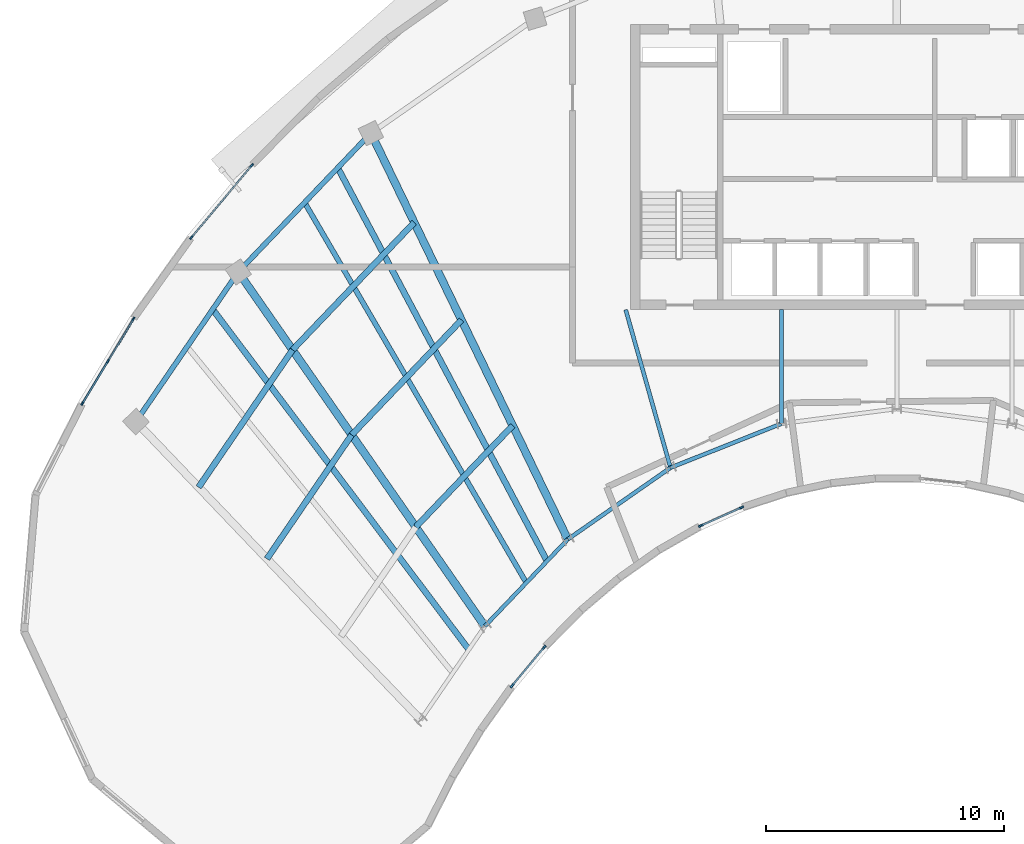
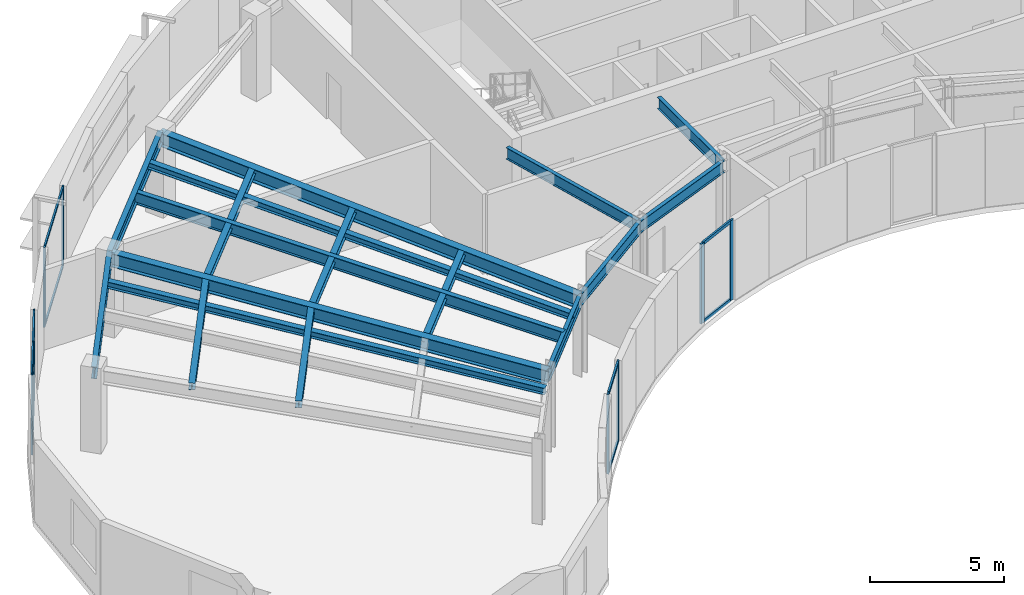
# One storey, part 2 of 12: 21 members, 17 beams, 4 elements without a shape of their own.
"""IFC4 building model written with IfcOpenShell, lengths in metres."""

from ifc_helpers import new_model, si_unit, direction, frame, origin, origin_2d, place, context, subcontext, project, spatial, rectangle, i_section, extrude, source, transform, mapped, material, layer, layer_set, material_profile, profile_set, type_object, type_shapes, element, aggregate, save


model = new_model("IFC4")

# Units and contexts
model_context = context("Model", 3, precision=1e-05, world=origin(), true_north=direction((0.0, 1.0)))
body_context = subcontext(model_context, "Body", "Model", "MODEL_VIEW")
ifc_project = project(units=[si_unit("LENGTHUNIT", "METRE"), si_unit("AREAUNIT", "SQUARE_METRE"), si_unit("VOLUMEUNIT", "CUBIC_METRE"), si_unit("PLANEANGLEUNIT", "RADIAN"), si_unit("MASSUNIT", "GRAM", prefix="KILO")], contexts=[model_context])

# Site, building, storey
site_placement = place(None, origin())
site = spatial("IfcSite", under=ifc_project, at=site_placement, CompositionType="ELEMENT")
building_placement = place(site_placement, origin())
building = spatial("IfcBuilding", under=site, at=building_placement, Name="Breltana Convention Tower", CompositionType="ELEMENT")
storey_placement = place(building_placement, frame((0.0, 0.0, 260.10009765625)))
storey = spatial("IfcBuildingStorey", under=building, at=storey_placement, Name="L63", CompositionType="ELEMENT", Elevation=260.10009765625)

# Beams
ifc_material_1 = material(Name="Steel ASTM A992 Grade 50", Category="steel")
ifc_material_profile_1 = material_profile(ifc_material_1, i_section(OverallWidth=0.166015625, OverallDepth=0.534912109375, WebThickness=0.01025390625, FlangeThickness=0.0166015625, at=origin_2d()), Name="W21X57")
ifc_profile_set_1 = profile_set([ifc_material_profile_1], Name="Steel ASTM A992 Grade 50")
beam_type_1 = type_object("IfcBeamType", Name="BM-BM-W21X57", PredefinedType="BEAM", material=ifc_profile_set_1)
shared_shape_1 = source(origin(), body_context, "Body", "SweptSolid", [
    extrude(i_section(OverallWidth=0.166015625, OverallDepth=0.534912109375, WebThickness=0.01025390625, FlangeThickness=0.0166015625, at=origin_2d()), origin(), (0.0, 0.0, 1.0), 6.904541015625),
])
type_shapes(beam_type_1, [shared_shape_1])
beam_1_placement = place(storey_placement, frame((36.60009765625, 60.199951171875, 3.38232421875), z_axis=(0.273006781054, -0.962012108811, 0.0), x_axis=(0.962012108811, 0.273006781054, 0.0)))
element("IfcBeam", 1, at=beam_1_placement, inside=storey, type_object=beam_type_1, Name="L63 South Core Tie Girder R04", PredefinedType="BEAM", context=body_context, shape_type="MappedRepresentation", body=[
    mapped(shared_shape_1, transform((0.0, 0.0, 0.0), scale=1.0)),
])
shared_shape_2 = source(origin(), body_context, "Body", "SweptSolid", [
    extrude(i_section(OverallWidth=0.166015625, OverallDepth=0.534912109375, WebThickness=0.01025390625, FlangeThickness=0.0166015625, at=origin_2d()), origin(), (0.0, 0.0, 1.0), 4.789306640625),
])
beam_2_placement = place(storey_placement, frame((43.153564453125, 60.199951171875, 3.38232421875), z_axis=(0.0, -1.0, 0.0), x_axis=(1.0, 0.0, 0.0)))
element("IfcBeam", 2, at=beam_2_placement, inside=storey, type_object=beam_type_1, Name="L63 South Core Tie Girder R05", PredefinedType="BEAM", context=body_context, shape_type="MappedRepresentation", body=[
    mapped(shared_shape_2, transform((0.0, 0.0, 0.0), scale=1.0)),
])
shared_shape_3 = source(origin(), body_context, "Body", "SweptSolid", [
    extrude(i_section(OverallWidth=0.166015625, OverallDepth=0.534912109375, WebThickness=0.01025390625, FlangeThickness=0.0166015625, at=origin_2d()), origin(), (0.0, 0.0, 1.0), 5.05126953125),
])
beam_3_placement = place(storey_placement, frame((30.67724609375, 46.892333984375, 3.38232421875), z_axis=(0.690729753845, 0.7231129975, 0.0), x_axis=(-0.7231129975, 0.690729753845, 0.0)))
element("IfcBeam", 3, at=beam_3_placement, inside=storey, type_object=beam_type_1, Name="L63 Inner Ring Beam 02", PredefinedType="BEAM", context=body_context, shape_type="MappedRepresentation", body=[
    mapped(shared_shape_3, transform((0.0, 0.0, 0.0), scale=1.0)),
])
shared_shape_4 = source(origin(), body_context, "Body", "SweptSolid", [
    extrude(i_section(OverallWidth=0.166015625, OverallDepth=0.534912109375, WebThickness=0.01025390625, FlangeThickness=0.0166015625, at=origin_2d()), origin(), (0.0, 0.0, 1.0), 5.265869140625),
])
beam_4_placement = place(storey_placement, frame((34.166259765625, 50.544921875, 3.38232421875), z_axis=(0.820167429517, 0.572123577176, 0.0), x_axis=(-0.572123577176, 0.820167429517, 0.0)))
element("IfcBeam", 4, at=beam_4_placement, inside=storey, type_object=beam_type_1, Name="L63 Inner Ring Beam 03", PredefinedType="BEAM", context=body_context, shape_type="MappedRepresentation", body=[
    mapped(shared_shape_4, transform((0.0, 0.0, 0.0), scale=1.0)),
])
shared_shape_5 = source(origin(), body_context, "Body", "SweptSolid", [
    extrude(i_section(OverallWidth=0.166015625, OverallDepth=0.534912109375, WebThickness=0.01025390625, FlangeThickness=0.0166015625, at=origin_2d()), origin(), (0.0, 0.0, 1.0), 5.022705078125),
])
beam_5_placement = place(storey_placement, frame((38.485107421875, 53.5576171875, 3.38232421875), z_axis=(0.929458966248, 0.368925507469, 0.0), x_axis=(-0.368925507469, 0.929458966248, 0.0)))
element("IfcBeam", 5, at=beam_5_placement, inside=storey, type_object=beam_type_1, Name="L63 Inner Ring Beam 04", PredefinedType="BEAM", context=body_context, shape_type="MappedRepresentation", body=[
    mapped(shared_shape_5, transform((0.0, 0.0, 0.0), scale=1.0)),
])
ifc_material_profile_2 = material_profile(ifc_material_1, i_section(OverallWidth=0.25390625, OverallDepth=0.305908203125, WebThickness=0.0087890625, FlangeThickness=0.0146484375, at=origin_2d()), Name="W12X53")
ifc_profile_set_2 = profile_set([ifc_material_profile_2], Name="Steel ASTM A992 Grade 50")
beam_type_2 = type_object("IfcBeamType", Name="BM-JSG-10", PredefinedType="JOIST", material=ifc_profile_set_2)
shared_shape_6 = source(origin(), body_context, "Body", "SweptSolid", [
    extrude(i_section(OverallWidth=0.25390625, OverallDepth=0.305908203125, WebThickness=0.0087890625, FlangeThickness=0.0146484375, at=origin_2d()), origin(), (0.0, 0.0, 1.0), 6.311767578125),
])
beam_6_placement = place(storey_placement, frame((21.5166015625, 49.72607421875, 3.496826171875), z_axis=(0.564453712577, 0.825464721449, 0.0), x_axis=(-0.825464721449, 0.564453712577, 0.0)))
element("IfcBeam", 6, at=beam_6_placement, inside=storey, type_object=beam_type_2, Name="L63 Composite Floor Joist 01.2", PredefinedType="JOIST", context=body_context, shape_type="MappedRepresentation", body=[
    mapped(shared_shape_6, transform((0.0, 0.0, 0.0), scale=1.0)),
])
shared_shape_7 = source(origin(), body_context, "Body", "SweptSolid", [
    extrude(i_section(OverallWidth=0.25390625, OverallDepth=0.305908203125, WebThickness=0.0087890625, FlangeThickness=0.0146484375, at=origin_2d()), origin(), (0.0, 0.0, 1.0), 6.997314453125),
])
beam_7_placement = place(storey_placement, frame((18.641845703125, 52.735595703125, 3.496826171875), z_axis=(0.564468756361, 0.825454434292, 0.0), x_axis=(-0.825454434292, 0.564468756361, 0.0)))
element("IfcBeam", 7, at=beam_7_placement, inside=storey, type_object=beam_type_2, Name="L63 Composite Floor Joist 01.3", PredefinedType="JOIST", context=body_context, shape_type="MappedRepresentation", body=[
    mapped(shared_shape_7, transform((0.0, 0.0, 0.0), scale=1.0)),
])
shared_shape_8 = source(origin(), body_context, "Body", "SweptSolid", [
    extrude(i_section(OverallWidth=0.25390625, OverallDepth=0.305908203125, WebThickness=0.0087890625, FlangeThickness=0.0146484375, at=origin_2d()), origin(), (0.0, 0.0, 1.0), 17.9072265625),
])
beam_8_placement = place(storey_placement, frame((30.00390625, 45.907958984375, 3.496826171875), z_axis=(-0.601382105028, 0.798961553363, 0.0), x_axis=(-0.798961553363, -0.601382105028, 0.0)))
element("IfcBeam", 8, at=beam_8_placement, inside=storey, type_object=beam_type_2, Name="L63 Quarter-Bay Radial Trimmer 01", PredefinedType="JOIST", context=body_context, shape_type="MappedRepresentation", body=[
    mapped(shared_shape_8, transform((0.0, 0.0, 0.0), scale=1.0)),
])
shared_shape_9 = source(origin(), body_context, "Body", "SweptSolid", [
    extrude(i_section(OverallWidth=0.25390625, OverallDepth=0.305908203125, WebThickness=0.0087890625, FlangeThickness=0.0146484375, at=origin_2d()), origin(), (0.0, 0.0, 1.0), 5.8974609375),
])
beam_9_placement = place(storey_placement, frame((27.774658203125, 51.063232421875, 3.496826171875), z_axis=(0.690713978666, 0.723128065888, 0.0), x_axis=(-0.723128065888, 0.690713978666, 0.0)))
element("IfcBeam", 9, at=beam_9_placement, inside=storey, type_object=beam_type_2, Name="L63 Composite Floor Joist 02.1", PredefinedType="JOIST", context=body_context, shape_type="MappedRepresentation", body=[
    mapped(shared_shape_9, transform((0.0, 0.0, 0.0), scale=1.0)),
])
shared_shape_10 = source(origin(), body_context, "Body", "SweptSolid", [
    extrude(i_section(OverallWidth=0.25390625, OverallDepth=0.305908203125, WebThickness=0.0087890625, FlangeThickness=0.0146484375, at=origin_2d()), origin(), (0.0, 0.0, 1.0), 6.68359375),
])
beam_10_placement = place(storey_placement, frame((25.079345703125, 54.936279296875, 3.496826171875), z_axis=(0.690720705885, 0.723121640156, 0.0), x_axis=(-0.723121640156, 0.690720705885, 0.0)))
element("IfcBeam", 10, at=beam_10_placement, inside=storey, type_object=beam_type_2, Name="L63 Composite Floor Joist 02.2", PredefinedType="JOIST", context=body_context, shape_type="MappedRepresentation", body=[
    mapped(shared_shape_10, transform((0.0, 0.0, 0.0), scale=1.0)),
])
shared_shape_11 = source(origin(), body_context, "Body", "SweptSolid", [
    extrude(i_section(OverallWidth=0.25390625, OverallDepth=0.305908203125, WebThickness=0.0087890625, FlangeThickness=0.0146484375, at=origin_2d()), origin(), (0.0, 0.0, 1.0), 7.40869140625),
])
beam_11_placement = place(storey_placement, frame((22.591552734375, 58.511474609375, 3.496826171875), z_axis=(0.690724936208, 0.723117599358, 0.0), x_axis=(-0.723117599358, 0.690724936208, 0.0)))
element("IfcBeam", 11, at=beam_11_placement, inside=storey, type_object=beam_type_2, Name="L63 Composite Floor Joist 02.3", PredefinedType="JOIST", context=body_context, shape_type="MappedRepresentation", body=[
    mapped(shared_shape_11, transform((0.0, 0.0, 0.0), scale=1.0)),
])
ifc_material_profile_3 = material_profile(ifc_material_1, i_section(OverallWidth=0.214111328125, OverallDepth=0.549072265625, WebThickness=0.0146484375, FlangeThickness=0.023681640625, at=origin_2d()), Name="W21X93")
ifc_profile_set_3 = profile_set([ifc_material_profile_3], Name="Steel ASTM A992 Grade 50")
beam_type_3 = type_object("IfcBeamType", Name="BM-JSG-03", PredefinedType="JOIST", material=ifc_profile_set_3)
shared_shape_12 = source(origin(), body_context, "Body", "SweptSolid", [
    extrude(i_section(OverallWidth=0.214111328125, OverallDepth=0.549072265625, WebThickness=0.0146484375, FlangeThickness=0.023681640625, at=origin_2d()), origin(), (0.0, 0.0, 1.0), 18.50830078125),
])
beam_12_placement = place(storey_placement, frame((32.421630859375, 48.71875, 3.37548828125), z_axis=(-0.50368319637, 0.863888440537, 0.0), x_axis=(-0.863888440537, -0.50368319637, 0.0)))
element("IfcBeam", 12, at=beam_12_placement, inside=storey, type_object=beam_type_3, Name="L63 Mid-Bay Radial Trimmer 02", PredefinedType="JOIST", context=body_context, shape_type="MappedRepresentation", body=[
    mapped(shared_shape_12, transform((0.0, 0.0, 0.0), scale=1.0)),
])
shared_shape_13 = source(origin(), body_context, "Body", "SweptSolid", [
    extrude(i_section(OverallWidth=0.25390625, OverallDepth=0.305908203125, WebThickness=0.0087890625, FlangeThickness=0.0146484375, at=origin_2d()), origin(), (0.0, 0.0, 1.0), 18.731689453125),
])
beam_13_placement = place(storey_placement, frame((33.2939453125, 49.6318359375, 3.496826171875), z_axis=(-0.469820250451, 0.882762104004, 0.0), x_axis=(-0.882762104004, -0.469820250451, 0.0)))
element("IfcBeam", 13, at=beam_13_placement, inside=storey, type_object=beam_type_2, Name="L63 Quarter-Bay Radial Trimmer 02", PredefinedType="JOIST", context=body_context, shape_type="MappedRepresentation", body=[
    mapped(shared_shape_13, transform((0.0, 0.0, 0.0), scale=1.0)),
])
ifc_material_profile_4 = material_profile(ifc_material_1, i_section(OverallWidth=0.326904296875, OverallDepth=0.6220703125, WebThickness=0.015380859375, FlangeThickness=0.0244140625, at=origin_2d()), Name="W24X131")
ifc_profile_set_4 = profile_set([ifc_material_profile_4], Name="Steel ASTM A992 Grade 50")
beam_type_4 = type_object("IfcBeamType", Name="BM-RG-W24X131", PredefinedType="USERDEFINED", material=ifc_profile_set_4)
shared_shape_14 = source(origin(), body_context, "Body", "SweptSolid", [
    extrude(i_section(OverallWidth=0.326904296875, OverallDepth=0.6220703125, WebThickness=0.015380859375, FlangeThickness=0.0244140625, at=origin_2d()), origin(), (0.0, 0.0, 1.0), 18.1484375),
])
beam_14_placement = place(storey_placement, frame((30.67724609375, 46.892333984375, 3.3388671875), z_axis=(-0.571207556098, 0.820805657788, 0.0), x_axis=(-0.820805657788, -0.571207556098, 0.0)))
element("IfcBeam", 14, at=beam_14_placement, inside=storey, type_object=beam_type_4, Name="L63 Radial Floor Girder R02", ObjectType="GIRDER", PredefinedType="USERDEFINED", context=body_context, shape_type="MappedRepresentation", body=[
    mapped(shared_shape_14, transform((0.0, 0.0, 0.0), scale=1.0)),
])
shared_shape_15 = source(origin(), body_context, "Body", "SweptSolid", [
    extrude(i_section(OverallWidth=0.326904296875, OverallDepth=0.6220703125, WebThickness=0.015380859375, FlangeThickness=0.0244140625, at=origin_2d()), origin(), (0.0, 0.0, 1.0), 18.982421875),
])
beam_15_placement = place(storey_placement, frame((34.166259765625, 50.544921875, 3.3388671875), z_axis=(-0.436118560343, 0.89988921614, 0.0), x_axis=(-0.89988921614, -0.436118560343, 0.0)))
element("IfcBeam", 15, at=beam_15_placement, inside=storey, type_object=beam_type_4, Name="L63 Radial Floor Girder R03", ObjectType="GIRDER", PredefinedType="USERDEFINED", context=body_context, shape_type="MappedRepresentation", body=[
    mapped(shared_shape_15, transform((0.0, 0.0, 0.0), scale=1.0)),
])
ifc_material_profile_5 = material_profile(ifc_material_1, i_section(OverallWidth=0.214111328125, OverallDepth=0.549072265625, WebThickness=0.0146484375, FlangeThickness=0.023681640625, at=origin_2d()), Name="W21X93")
ifc_profile_set_5 = profile_set([ifc_material_profile_5], Name="Steel ASTM A992 Grade 50")
beam_type_5 = type_object("IfcBeamType", Name="BM-SP-W21X93", PredefinedType="SPANDREL", material=ifc_profile_set_5)
shared_shape_16 = source(origin(), body_context, "Body", "SweptSolid", [
    extrude(i_section(OverallWidth=0.214111328125, OverallDepth=0.549072265625, WebThickness=0.0146484375, FlangeThickness=0.023681640625, at=origin_2d()), origin(), (0.0, 0.0, 1.0), 7.625),
])
type_shapes(beam_type_5, [shared_shape_16])
beam_16_placement = place(storey_placement, frame((16.0068359375, 55.494384765625, 3.37548828125), z_axis=(0.564452031902, 0.825465870694, 0.0), x_axis=(-0.825465870694, 0.564452031902, 0.0)))
element("IfcBeam", 16, at=beam_16_placement, inside=storey, type_object=beam_type_5, Name="L63 Outer Spandrel Beam 01", PredefinedType="SPANDREL", context=body_context, shape_type="MappedRepresentation", body=[
    mapped(shared_shape_16, transform((0.0, 0.0, 0.0), scale=1.0)),
])
shared_shape_17 = source(origin(), body_context, "Body", "SweptSolid", [
    extrude(i_section(OverallWidth=0.214111328125, OverallDepth=0.549072265625, WebThickness=0.0146484375, FlangeThickness=0.023681640625, at=origin_2d()), origin(), (0.0, 0.0, 1.0), 8.073974609375),
])
beam_17_placement = place(storey_placement, frame((20.310791015625, 61.78857421875, 3.37548828125), z_axis=(0.69072885448, 0.723113856588, 0.0), x_axis=(-0.723113856588, 0.69072885448, 0.0)))
element("IfcBeam", 17, at=beam_17_placement, inside=storey, type_object=beam_type_5, Name="L63 Outer Spandrel Beam 02", PredefinedType="SPANDREL", context=body_context, shape_type="MappedRepresentation", body=[
    mapped(shared_shape_17, transform((0.0, 0.0, 0.0), scale=1.0)),
])

# Curtain wall, members
ifc_material_2 = material(Name="Aluminium Anodised Bronze Frame", Category="aluminium")
ifc_layer_1 = layer(ifc_material_2, 0.18994140625, Name="Aluminium Anodised Bronze Frame")
ifc_layer_set_1 = layer_set([ifc_layer_1], Name="Aluminium Anodised Bronze Frame")
curtain_wall_type_1 = type_object("IfcCurtainWallType", Name="CW-SYS-1", PredefinedType="NOTDEFINED", material=ifc_layer_set_1)
curtain_wall_1_placement = place(storey_placement, origin())
curtain_wall_1 = element("IfcCurtainWall", 18, at=curtain_wall_1_placement, inside=storey, type_object=curtain_wall_type_1, Name="L63 inner south-court glazing 4", PredefinedType="NOTDEFINED")
ifc_material_3 = material(Name="Aluminium Anodised Bronze", Category="aluminium")
ifc_material_profile_6 = material_profile(ifc_material_3, rectangle(XDim=0.080078125, YDim=0.199951171875, at=origin_2d()), Name="CWM-80X200")
ifc_profile_set_6 = profile_set([ifc_material_profile_6], Name="Aluminium Anodised Bronze")
member_type_1 = type_object("IfcMemberType", Name="CWM-200", PredefinedType="MULLION", material=ifc_profile_set_6)
shared_shape_18 = source(origin(), body_context, "Body", "SweptSolid", [
    extrude(rectangle(XDim=0.080078125, YDim=0.199951171875, at=origin_2d()), origin(), (0.0, 0.0, 1.0), 3.64990234375),
])
member_1_placement = place(storey_placement, frame((41.464599609375, 51.88037109375, 0.0), z_axis=(0.0, 0.0, 1.0), x_axis=(0.408628350848, -0.912700866047, 0.0)))
member_1 = element("IfcMember", 19, at=member_1_placement, type_object=member_type_1, Name="CW-01 mullion 1", PredefinedType="MULLION", context=body_context, shape_type="MappedRepresentation", body=[
    mapped(shared_shape_18, transform((0.0, 0.0, 0.0), scale=1.0)),
])
member_2_placement = place(storey_placement, frame((39.760009765625, 51.1171875, 0.0), z_axis=(0.0, 0.0, 1.0), x_axis=(0.408628350848, -0.912700866047, 0.0)))
member_2 = element("IfcMember", 20, at=member_2_placement, type_object=member_type_1, Name="CW-01 mullion 2", PredefinedType="MULLION", context=body_context, shape_type="MappedRepresentation", body=[
    mapped(shared_shape_18, transform((0.0, 0.0, 0.0), scale=1.0)),
])

curtain_wall_2_placement = place(storey_placement, origin())
curtain_wall_2 = element("IfcCurtainWall", 21, at=curtain_wall_2_placement, inside=storey, type_object=curtain_wall_type_1, Name="L63 inner south-court glazing 5", PredefinedType="NOTDEFINED")
member_3_placement = place(storey_placement, frame((33.174072265625, 46.00390625, 0.0), z_axis=(0.0, 0.0, 1.0), x_axis=(0.766892102738, -0.641776053432, 0.0)))
member_3 = element("IfcMember", 22, at=member_3_placement, type_object=member_type_1, Name="CW-01 mullion 1", PredefinedType="MULLION", context=body_context, shape_type="MappedRepresentation", body=[
    mapped(shared_shape_18, transform((0.0, 0.0, 0.0), scale=1.0)),
])
member_4_placement = place(storey_placement, frame((31.82666015625, 44.393798828125, 0.0), z_axis=(0.0, 0.0, 1.0), x_axis=(0.766892102738, -0.641776053432, 0.0)))
member_4 = element("IfcMember", 23, at=member_4_placement, type_object=member_type_1, Name="CW-01 mullion 2", PredefinedType="MULLION", context=body_context, shape_type="MappedRepresentation", body=[
    mapped(shared_shape_18, transform((0.0, 0.0, 0.0), scale=1.0)),
])

ifc_layer_2 = layer(ifc_material_2, 0.22998046875, Name="Aluminium Anodised Bronze Frame")
ifc_layer_set_2 = layer_set([ifc_layer_2], Name="Aluminium Anodised Bronze Frame")
curtain_wall_type_2 = type_object("IfcCurtainWallType", Name="CW-SYS-5", PredefinedType="NOTDEFINED", material=ifc_layer_set_2)
curtain_wall_3_placement = place(storey_placement, origin())
curtain_wall_3 = element("IfcCurtainWall", 24, at=curtain_wall_3_placement, inside=storey, type_object=curtain_wall_type_2, Name="L63 outer double-skin inner glazing 1", PredefinedType="NOTDEFINED")
ifc_material_profile_7 = material_profile(ifc_material_3, rectangle(XDim=0.070068359375, YDim=0.175048828125, at=origin_2d()), Name="CWM-70X175")
ifc_profile_set_7 = profile_set([ifc_material_profile_7], Name="Aluminium Anodised Bronze")
member_type_2 = type_object("IfcMemberType", Name="CWM-175", PredefinedType="MULLION", material=ifc_profile_set_7)
shared_shape_19 = source(origin(), body_context, "Body", "SweptSolid", [
    extrude(rectangle(XDim=0.070068359375, YDim=0.175048828125, at=origin_2d()), origin(), (0.0, 0.0, 1.0), 3.64990234375),
])
member_5_placement = place(storey_placement, frame((13.757080078125, 56.25732421875, 0.0), z_axis=(0.0, 0.0, 1.0), x_axis=(-0.85606662011, 0.516865496947, 0.0)))
member_5 = element("IfcMember", 25, at=member_5_placement, type_object=member_type_2, Name="CW-05 mullion 1", PredefinedType="MULLION", context=body_context, shape_type="MappedRepresentation", body=[
    mapped(shared_shape_19, transform((0.0, 0.0, 0.0), scale=1.0)),
])
member_6_placement = place(storey_placement, frame((14.830078125, 58.03466796875, 0.0), z_axis=(0.0, 0.0, 1.0), x_axis=(-0.85606662011, 0.516865496947, 0.0)))
member_6 = element("IfcMember", 26, at=member_6_placement, type_object=member_type_2, Name="CW-05 mullion 2", PredefinedType="MULLION", context=body_context, shape_type="MappedRepresentation", body=[
    mapped(shared_shape_19, transform((0.0, 0.0, 0.0), scale=1.0)),
])
member_7_placement = place(storey_placement, frame((15.9033203125, 59.812255859375, 0.0), z_axis=(0.0, 0.0, 1.0), x_axis=(-0.85606662011, 0.516865496947, 0.0)))
member_7 = element("IfcMember", 27, at=member_7_placement, type_object=member_type_2, Name="CW-05 mullion 3", PredefinedType="MULLION", context=body_context, shape_type="MappedRepresentation", body=[
    mapped(shared_shape_19, transform((0.0, 0.0, 0.0), scale=1.0)),
])

curtain_wall_4_placement = place(storey_placement, origin())
curtain_wall_4 = element("IfcCurtainWall", 28, at=curtain_wall_4_placement, inside=storey, type_object=curtain_wall_type_2, Name="L63 outer double-skin inner glazing 2", PredefinedType="NOTDEFINED")
member_8_placement = place(storey_placement, frame((18.337158203125, 63.23388671875, 0.0), z_axis=(0.0, 0.0, 1.0), x_axis=(-0.766886500543, 0.641782747731, 0.0)))
member_8 = element("IfcMember", 29, at=member_8_placement, type_object=member_type_2, Name="CW-05 mullion 1", PredefinedType="MULLION", context=body_context, shape_type="MappedRepresentation", body=[
    mapped(shared_shape_19, transform((0.0, 0.0, 0.0), scale=1.0)),
])
member_9_placement = place(storey_placement, frame((20.880859375, 66.2734375, 0.0), z_axis=(0.0, 0.0, 1.0), x_axis=(-0.766886500543, 0.641782747731, 0.0)))
member_9 = element("IfcMember", 30, at=member_9_placement, type_object=member_type_2, Name="CW-05 mullion 2", PredefinedType="MULLION", context=body_context, shape_type="MappedRepresentation", body=[
    mapped(shared_shape_19, transform((0.0, 0.0, 0.0), scale=1.0)),
])

# Member
ifc_material_profile_8 = material_profile(ifc_material_3, rectangle(XDim=0.080078125, YDim=0.139892578125, at=origin_2d()), Name="CWT-80X140")
ifc_profile_set_8 = profile_set([ifc_material_profile_8], Name="Aluminium Anodised Bronze")
member_type_3 = type_object("IfcMemberType", Name="CWT-140", PredefinedType="USERDEFINED", material=ifc_profile_set_8)
shared_shape_20 = source(origin(), body_context, "Body", "SweptSolid", [
    extrude(rectangle(XDim=0.080078125, YDim=0.139892578125, at=origin_2d()), origin(), (0.0, 0.0, 1.0), 1.78759765625),
])
member_10_placement = place(storey_placement, frame((41.427978515625, 51.864013671875, 0.039794921875), z_axis=(-0.912704341523, -0.408620588035, 0.0), x_axis=(0.408620588035, -0.912704341523, 0.0)))
member_10 = element("IfcMember", 31, at=member_10_placement, type_object=member_type_3, Name="CW-01 transom 1.1", ObjectType="TRANSOM", PredefinedType="USERDEFINED", context=body_context, shape_type="MappedRepresentation", body=[
    mapped(shared_shape_20, transform((0.0, 0.0, 0.0), scale=1.0)),
])

member_11_placement = place(storey_placement, frame((41.427978515625, 51.864013671875, 3.60986328125), z_axis=(-0.912704341523, -0.408620588035, 0.0), x_axis=(0.408620588035, -0.912704341523, 0.0)))
member_11 = element("IfcMember", 32, at=member_11_placement, type_object=member_type_3, Name="CW-01 transom 1.2", ObjectType="TRANSOM", PredefinedType="USERDEFINED", context=body_context, shape_type="MappedRepresentation", body=[
    mapped(shared_shape_20, transform((0.0, 0.0, 0.0), scale=1.0)),
])

aggregate(curtain_wall_1, [member_1, member_2, member_10, member_11])

shared_shape_21 = source(origin(), body_context, "Body", "SweptSolid", [
    extrude(rectangle(XDim=0.080078125, YDim=0.139892578125, at=origin_2d()), origin(), (0.0, 0.0, 1.0), 2.01953125),
])
member_12_placement = place(storey_placement, frame((33.1484375, 45.973388671875, 0.039794921875), z_axis=(-0.641776321393, -0.766891878493, 0.0), x_axis=(0.766891878493, -0.641776321393, 0.0)))
member_12 = element("IfcMember", 33, at=member_12_placement, type_object=member_type_3, Name="CW-01 transom 1.1", ObjectType="TRANSOM", PredefinedType="USERDEFINED", context=body_context, shape_type="MappedRepresentation", body=[
    mapped(shared_shape_21, transform((0.0, 0.0, 0.0), scale=1.0)),
])

member_13_placement = place(storey_placement, frame((33.1484375, 45.973388671875, 3.60986328125), z_axis=(-0.641776321393, -0.766891878493, 0.0), x_axis=(0.766891878493, -0.641776321393, 0.0)))
member_13 = element("IfcMember", 34, at=member_13_placement, type_object=member_type_3, Name="CW-01 transom 1.2", ObjectType="TRANSOM", PredefinedType="USERDEFINED", context=body_context, shape_type="MappedRepresentation", body=[
    mapped(shared_shape_21, transform((0.0, 0.0, 0.0), scale=1.0)),
])

aggregate(curtain_wall_2, [member_3, member_4, member_12, member_13])

ifc_material_profile_9 = material_profile(ifc_material_3, rectangle(XDim=0.070068359375, YDim=0.1201171875, at=origin_2d()), Name="CWT-70X120")
ifc_profile_set_9 = profile_set([ifc_material_profile_9], Name="Aluminium Anodised Bronze")
member_type_4 = type_object("IfcMemberType", Name="CWT-120", PredefinedType="USERDEFINED", material=ifc_profile_set_9)
shared_shape_22 = source(origin(), body_context, "Body", "SweptSolid", [
    extrude(rectangle(XDim=0.070068359375, YDim=0.1201171875, at=origin_2d()), origin(), (0.0, 0.0, 1.0), 2.00634765625),
])
member_14_placement = place(storey_placement, frame((13.775146484375, 56.287109375, 0.034912109375), z_axis=(0.516820301281, 0.856093906172, 0.0), x_axis=(-0.856093906172, 0.516820301281, 0.0)))
member_14 = element("IfcMember", 35, at=member_14_placement, type_object=member_type_4, Name="CW-05 transom 1.1", ObjectType="TRANSOM", PredefinedType="USERDEFINED", context=body_context, shape_type="MappedRepresentation", body=[
    mapped(shared_shape_22, transform((0.0, 0.0, 0.0), scale=1.0)),
])

member_15_placement = place(storey_placement, frame((13.775146484375, 56.287109375, 2.372314453125), z_axis=(0.516820301281, 0.856093906172, 0.0), x_axis=(-0.856093906172, 0.516820301281, 0.0)))
member_15 = element("IfcMember", 36, at=member_15_placement, type_object=member_type_4, Name="CW-05 transom 1.2", ObjectType="TRANSOM", PredefinedType="USERDEFINED", context=body_context, shape_type="MappedRepresentation", body=[
    mapped(shared_shape_22, transform((0.0, 0.0, 0.0), scale=1.0)),
])

member_16_placement = place(storey_placement, frame((13.775146484375, 56.287109375, 3.614990234375), z_axis=(0.516820301281, 0.856093906172, 0.0), x_axis=(-0.856093906172, 0.516820301281, 0.0)))
member_16 = element("IfcMember", 37, at=member_16_placement, type_object=member_type_4, Name="CW-05 transom 1.3", ObjectType="TRANSOM", PredefinedType="USERDEFINED", context=body_context, shape_type="MappedRepresentation", body=[
    mapped(shared_shape_22, transform((0.0, 0.0, 0.0), scale=1.0)),
])

member_17_placement = place(storey_placement, frame((14.84814453125, 58.064697265625, 0.034912109375), z_axis=(0.516909479571, 0.856040063273, 0.0), x_axis=(-0.856040063273, 0.516909479571, 0.0)))
member_17 = element("IfcMember", 38, at=member_17_placement, type_object=member_type_4, Name="CW-05 transom 2.1", ObjectType="TRANSOM", PredefinedType="USERDEFINED", context=body_context, shape_type="MappedRepresentation", body=[
    mapped(shared_shape_22, transform((0.0, 0.0, 0.0), scale=1.0)),
])

member_18_placement = place(storey_placement, frame((14.84814453125, 58.064697265625, 2.372314453125), z_axis=(0.516909479571, 0.856040063273, 0.0), x_axis=(-0.856040063273, 0.516909479571, 0.0)))
member_18 = element("IfcMember", 39, at=member_18_placement, type_object=member_type_4, Name="CW-05 transom 2.2", ObjectType="TRANSOM", PredefinedType="USERDEFINED", context=body_context, shape_type="MappedRepresentation", body=[
    mapped(shared_shape_22, transform((0.0, 0.0, 0.0), scale=1.0)),
])

member_19_placement = place(storey_placement, frame((14.84814453125, 58.064697265625, 3.614990234375), z_axis=(0.516909479571, 0.856040063273, 0.0), x_axis=(-0.856040063273, 0.516909479571, 0.0)))
member_19 = element("IfcMember", 40, at=member_19_placement, type_object=member_type_4, Name="CW-05 transom 2.3", ObjectType="TRANSOM", PredefinedType="USERDEFINED", context=body_context, shape_type="MappedRepresentation", body=[
    mapped(shared_shape_22, transform((0.0, 0.0, 0.0), scale=1.0)),
])

aggregate(curtain_wall_3, [member_5, member_6, member_7, member_14, member_15, member_16, member_17, member_18, member_19])

shared_shape_23 = source(origin(), body_context, "Body", "SweptSolid", [
    extrude(rectangle(XDim=0.070068359375, YDim=0.1201171875, at=origin_2d()), origin(), (0.0, 0.0, 1.0), 3.8935546875),
])
member_20_placement = place(storey_placement, frame((18.359619140625, 63.2607421875, 0.034912109375), z_axis=(0.641786610525, 0.766883267877, 0.0), x_axis=(-0.766883267877, 0.641786610525, 0.0)))
member_20 = element("IfcMember", 41, at=member_20_placement, type_object=member_type_4, Name="CW-05 transom 1.1", ObjectType="TRANSOM", PredefinedType="USERDEFINED", context=body_context, shape_type="MappedRepresentation", body=[
    mapped(shared_shape_23, transform((0.0, 0.0, 0.0), scale=1.0)),
])

member_21_placement = place(storey_placement, frame((18.359619140625, 63.2607421875, 3.614990234375), z_axis=(0.641786610525, 0.766883267877, 0.0), x_axis=(-0.766883267877, 0.641786610525, 0.0)))
member_21 = element("IfcMember", 42, at=member_21_placement, type_object=member_type_4, Name="CW-05 transom 1.2", ObjectType="TRANSOM", PredefinedType="USERDEFINED", context=body_context, shape_type="MappedRepresentation", body=[
    mapped(shared_shape_23, transform((0.0, 0.0, 0.0), scale=1.0)),
])

aggregate(curtain_wall_4, [member_8, member_9, member_20, member_21])

save(model, "model.ifc")
